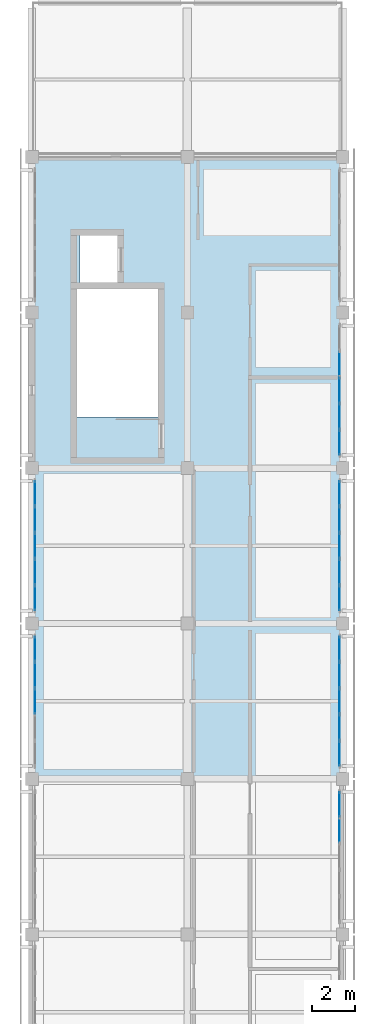
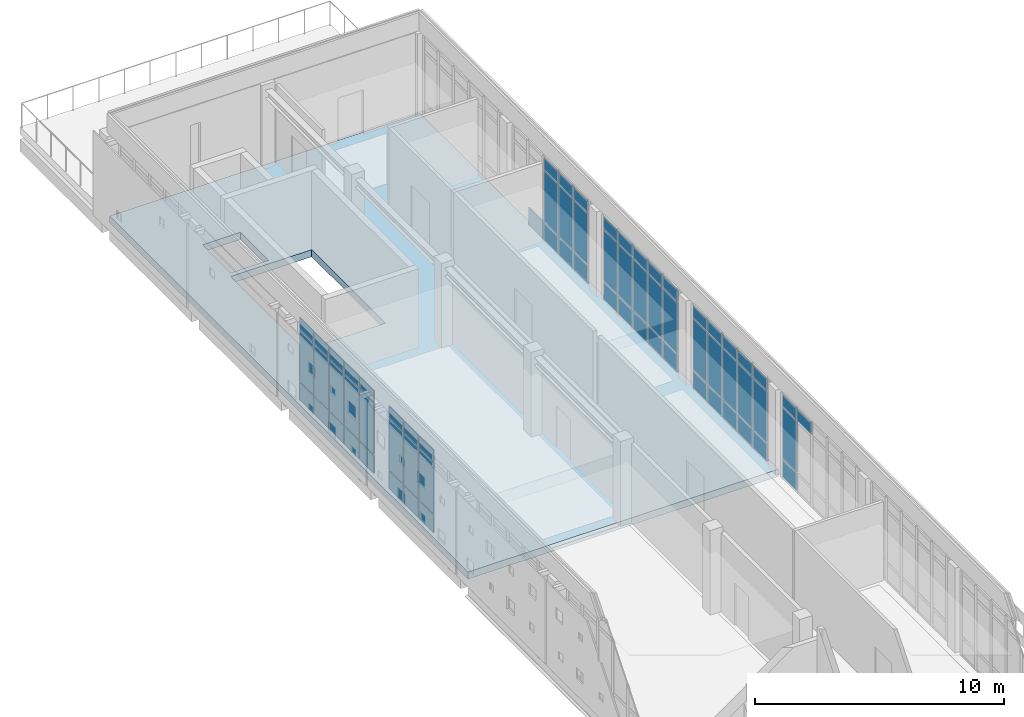
# One storey, part 12 of 19: 68 plates, 1 slab, 6 elements without a shape of their own.
"""IFC4 building model written with IfcOpenShell, lengths in metres."""

from ifc_helpers import new_model, si_unit, direction, frame, origin, origin_2d, place, context, subcontext, project, spatial, polyline, rectangle, outline, extrude, material, layer, layer_set, type_object, element, aggregate, save


model = new_model("IFC4")

# Units and contexts
model_context = context("Model", 3, precision=1e-05, world=origin(), true_north=direction((0.0, 1.0)))
body_context = subcontext(model_context, "Body", "Model", "MODEL_VIEW")
ifc_project = project(units=[si_unit("LENGTHUNIT", "METRE"), si_unit("AREAUNIT", "SQUARE_METRE"), si_unit("VOLUMEUNIT", "CUBIC_METRE"), si_unit("PLANEANGLEUNIT", "RADIAN"), si_unit("MASSUNIT", "GRAM", prefix="KILO")], contexts=[model_context])

# Site, building, storey
site_placement = place(None, origin())
site = spatial("IfcSite", under=ifc_project, at=site_placement, CompositionType="ELEMENT")
building_placement = place(site_placement, origin())
building = spatial("IfcBuilding", under=site, at=building_placement, Name="Valkovuoma Quantum and Materials Research Institute", CompositionType="ELEMENT")
storey_placement = place(building_placement, frame((0.0, 0.0, 38.080078125)))
storey = spatial("IfcBuildingStorey", under=building, at=storey_placement, Name="L09", CompositionType="ELEMENT", Elevation=38.080078125)

# Curtain wall, plates
ifc_material_1 = material(Name="Thermally broken aluminium and triple low-E glazing", Category="aluminium")
ifc_layer_1 = layer(ifc_material_1, 0.219970703125)
ifc_layer_set_1 = layer_set([ifc_layer_1], Name="Thermally broken aluminium and triple low-E glazing")
curtain_wall_type = type_object("IfcCurtainWallType", Name="CW-CW-01", PredefinedType="NOTDEFINED", material=ifc_layer_set_1)
curtain_wall_1_placement = place(storey_placement, origin())
curtain_wall_1 = element("IfcCurtainWall", 1, at=curtain_wall_1_placement, inside=storey, type_object=curtain_wall_type, Name="L09 curtain wall 136", PredefinedType="NOTDEFINED")
ifc_material_2 = material(Name="Triple low-E argon insulating glass", Category="glass")
ifc_layer_2 = layer(ifc_material_2, 0.035888671875)
ifc_layer_set_2 = layer_set([ifc_layer_2], Name="Triple low-E argon insulating glass")
plate_type_1 = type_object("IfcPlateType", Name="CWPanel-CWP-01", PredefinedType="CURTAIN_PANEL", material=ifc_layer_set_2)
plate_1_placement = place(storey_placement, frame((0.14990234375, 61.199951171875, 0.06494140625), z_axis=(0.0, 0.0, 1.0), x_axis=(0.0, 1.0, 0.0)))
plate_1 = element("IfcPlate", 2, at=plate_1_placement, type_object=plate_type_1, Name="CW-01 panel 3.1", PredefinedType="CURTAIN_PANEL", context=body_context, shape_type="SweptSolid", body=[
    extrude(rectangle(XDim=1.152099609375, YDim=0.035888671875, at=origin_2d()), origin(), (0.0, 0.0, 1.0), 0.8525390625),
])
plate_2_placement = place(storey_placement, frame((0.14990234375, 61.199951171875, 0.982421875), z_axis=(0.0, 0.0, 1.0), x_axis=(0.0, 1.0, 0.0)))
plate_2 = element("IfcPlate", 3, at=plate_2_placement, type_object=plate_type_1, Name="CW-01 panel 3.2", PredefinedType="CURTAIN_PANEL", context=body_context, shape_type="SweptSolid", body=[
    extrude(rectangle(XDim=1.152099609375, YDim=0.035888671875, at=origin_2d()), origin(), (0.0, 0.0, 1.0), 2.4951171875),
])
plate_3_placement = place(storey_placement, frame((0.14990234375, 61.199951171875, 3.54248046875), z_axis=(0.0, 0.0, 1.0), x_axis=(0.0, 1.0, 0.0)))
plate_3 = element("IfcPlate", 4, at=plate_3_placement, type_object=plate_type_1, Name="CW-01 panel 3.3", PredefinedType="CURTAIN_PANEL", context=body_context, shape_type="SweptSolid", body=[
    extrude(rectangle(XDim=1.152099609375, YDim=0.035888671875, at=origin_2d()), origin(), (0.0, 0.0, 1.0), 0.552490234375),
])
plate_4_placement = place(storey_placement, frame((0.14990234375, 62.417236328125, 0.06494140625), z_axis=(0.0, 0.0, 1.0), x_axis=(0.0, 1.0, 0.0)))
plate_4 = element("IfcPlate", 5, at=plate_4_placement, type_object=plate_type_1, Name="CW-01 panel 4.1", PredefinedType="CURTAIN_PANEL", context=body_context, shape_type="SweptSolid", body=[
    extrude(rectangle(XDim=1.152099609375, YDim=0.035888671875, at=origin_2d()), origin(), (0.0, 0.0, 1.0), 0.8525390625),
])
plate_5_placement = place(storey_placement, frame((0.14990234375, 62.417236328125, 0.982421875), z_axis=(0.0, 0.0, 1.0), x_axis=(0.0, 1.0, 0.0)))
plate_5 = element("IfcPlate", 6, at=plate_5_placement, type_object=plate_type_1, Name="CW-01 panel 4.2", PredefinedType="CURTAIN_PANEL", context=body_context, shape_type="SweptSolid", body=[
    extrude(rectangle(XDim=1.152099609375, YDim=0.035888671875, at=origin_2d()), origin(), (0.0, 0.0, 1.0), 2.4951171875),
])
plate_6_placement = place(storey_placement, frame((0.14990234375, 62.417236328125, 3.54248046875), z_axis=(0.0, 0.0, 1.0), x_axis=(0.0, 1.0, 0.0)))
plate_6 = element("IfcPlate", 7, at=plate_6_placement, type_object=plate_type_1, Name="CW-01 panel 4.3", PredefinedType="CURTAIN_PANEL", context=body_context, shape_type="SweptSolid", body=[
    extrude(rectangle(XDim=1.152099609375, YDim=0.035888671875, at=origin_2d()), origin(), (0.0, 0.0, 1.0), 0.552490234375),
])
plate_7_placement = place(storey_placement, frame((0.14990234375, 63.6181640625, 0.06494140625), z_axis=(0.0, 0.0, 1.0), x_axis=(0.0, 1.0, 0.0)))
plate_7 = element("IfcPlate", 8, at=plate_7_placement, type_object=plate_type_1, Name="CW-01 panel 5.1", PredefinedType="CURTAIN_PANEL", context=body_context, shape_type="SweptSolid", body=[
    extrude(rectangle(XDim=1.11962890625, YDim=0.035888671875, at=origin_2d()), origin(), (0.0, 0.0, 1.0), 0.8525390625),
])
plate_8_placement = place(storey_placement, frame((0.14990234375, 63.6181640625, 0.982421875), z_axis=(0.0, 0.0, 1.0), x_axis=(0.0, 1.0, 0.0)))
plate_8 = element("IfcPlate", 9, at=plate_8_placement, type_object=plate_type_1, Name="CW-01 panel 5.2", PredefinedType="CURTAIN_PANEL", context=body_context, shape_type="SweptSolid", body=[
    extrude(rectangle(XDim=1.11962890625, YDim=0.035888671875, at=origin_2d()), origin(), (0.0, 0.0, 1.0), 2.4951171875),
])
plate_9_placement = place(storey_placement, frame((0.14990234375, 63.6181640625, 3.54248046875), z_axis=(0.0, 0.0, 1.0), x_axis=(0.0, 1.0, 0.0)))
plate_9 = element("IfcPlate", 10, at=plate_9_placement, type_object=plate_type_1, Name="CW-01 panel 5.3", PredefinedType="CURTAIN_PANEL", context=body_context, shape_type="SweptSolid", body=[
    extrude(rectangle(XDim=1.11962890625, YDim=0.035888671875, at=origin_2d()), origin(), (0.0, 0.0, 1.0), 0.552490234375),
])
aggregate(curtain_wall_1, [plate_1, plate_2, plate_3, plate_4, plate_5, plate_6, plate_7, plate_8, plate_9])

curtain_wall_2_placement = place(storey_placement, origin())
curtain_wall_2 = element("IfcCurtainWall", 11, at=curtain_wall_2_placement, inside=storey, type_object=curtain_wall_type, Name="L09 curtain wall 138", PredefinedType="NOTDEFINED")
plate_10_placement = place(storey_placement, frame((0.14990234375, 65.98193359375, 0.06494140625), z_axis=(0.0, 0.0, 1.0), x_axis=(0.0, 1.0, 0.0)))
plate_10 = element("IfcPlate", 12, at=plate_10_placement, type_object=plate_type_1, Name="CW-01 panel 1.1", PredefinedType="CURTAIN_PANEL", context=body_context, shape_type="SweptSolid", body=[
    extrude(rectangle(XDim=1.11962890625, YDim=0.035888671875, at=origin_2d()), origin(), (0.0, 0.0, 1.0), 0.8525390625),
])
plate_11_placement = place(storey_placement, frame((0.14990234375, 65.98193359375, 0.982421875), z_axis=(0.0, 0.0, 1.0), x_axis=(0.0, 1.0, 0.0)))
plate_11 = element("IfcPlate", 13, at=plate_11_placement, type_object=plate_type_1, Name="CW-01 panel 1.2", PredefinedType="CURTAIN_PANEL", context=body_context, shape_type="SweptSolid", body=[
    extrude(rectangle(XDim=1.11962890625, YDim=0.035888671875, at=origin_2d()), origin(), (0.0, 0.0, 1.0), 2.4951171875),
])
plate_12_placement = place(storey_placement, frame((0.14990234375, 65.98193359375, 3.54248046875), z_axis=(0.0, 0.0, 1.0), x_axis=(0.0, 1.0, 0.0)))
plate_12 = element("IfcPlate", 14, at=plate_12_placement, type_object=plate_type_1, Name="CW-01 panel 1.3", PredefinedType="CURTAIN_PANEL", context=body_context, shape_type="SweptSolid", body=[
    extrude(rectangle(XDim=1.11962890625, YDim=0.035888671875, at=origin_2d()), origin(), (0.0, 0.0, 1.0), 0.552490234375),
])
plate_13_placement = place(storey_placement, frame((0.14990234375, 67.182861328125, 0.06494140625), z_axis=(0.0, 0.0, 1.0), x_axis=(0.0, 1.0, 0.0)))
plate_13 = element("IfcPlate", 15, at=plate_13_placement, type_object=plate_type_1, Name="CW-01 panel 2.1", PredefinedType="CURTAIN_PANEL", context=body_context, shape_type="SweptSolid", body=[
    extrude(rectangle(XDim=1.152099609375, YDim=0.035888671875, at=origin_2d()), origin(), (0.0, 0.0, 1.0), 0.8525390625),
])
plate_14_placement = place(storey_placement, frame((0.14990234375, 67.182861328125, 0.982421875), z_axis=(0.0, 0.0, 1.0), x_axis=(0.0, 1.0, 0.0)))
plate_14 = element("IfcPlate", 16, at=plate_14_placement, type_object=plate_type_1, Name="CW-01 panel 2.2", PredefinedType="CURTAIN_PANEL", context=body_context, shape_type="SweptSolid", body=[
    extrude(rectangle(XDim=1.152099609375, YDim=0.035888671875, at=origin_2d()), origin(), (0.0, 0.0, 1.0), 2.4951171875),
])
plate_15_placement = place(storey_placement, frame((0.14990234375, 67.182861328125, 3.54248046875), z_axis=(0.0, 0.0, 1.0), x_axis=(0.0, 1.0, 0.0)))
plate_15 = element("IfcPlate", 17, at=plate_15_placement, type_object=plate_type_1, Name="CW-01 panel 2.3", PredefinedType="CURTAIN_PANEL", context=body_context, shape_type="SweptSolid", body=[
    extrude(rectangle(XDim=1.152099609375, YDim=0.035888671875, at=origin_2d()), origin(), (0.0, 0.0, 1.0), 0.552490234375),
])
plate_16_placement = place(storey_placement, frame((0.14990234375, 68.39990234375, 0.06494140625), z_axis=(0.0, 0.0, 1.0), x_axis=(0.0, 1.0, 0.0)))
plate_16 = element("IfcPlate", 18, at=plate_16_placement, type_object=plate_type_1, Name="CW-01 panel 3.1", PredefinedType="CURTAIN_PANEL", context=body_context, shape_type="SweptSolid", body=[
    extrude(rectangle(XDim=1.152099609375, YDim=0.035888671875, at=origin_2d()), origin(), (0.0, 0.0, 1.0), 0.8525390625),
])
plate_17_placement = place(storey_placement, frame((0.14990234375, 68.39990234375, 0.982421875), z_axis=(0.0, 0.0, 1.0), x_axis=(0.0, 1.0, 0.0)))
plate_17 = element("IfcPlate", 19, at=plate_17_placement, type_object=plate_type_1, Name="CW-01 panel 3.2", PredefinedType="CURTAIN_PANEL", context=body_context, shape_type="SweptSolid", body=[
    extrude(rectangle(XDim=1.152099609375, YDim=0.035888671875, at=origin_2d()), origin(), (0.0, 0.0, 1.0), 2.4951171875),
])
plate_18_placement = place(storey_placement, frame((0.14990234375, 68.39990234375, 3.54248046875), z_axis=(0.0, 0.0, 1.0), x_axis=(0.0, 1.0, 0.0)))
plate_18 = element("IfcPlate", 20, at=plate_18_placement, type_object=plate_type_1, Name="CW-01 panel 3.3", PredefinedType="CURTAIN_PANEL", context=body_context, shape_type="SweptSolid", body=[
    extrude(rectangle(XDim=1.152099609375, YDim=0.035888671875, at=origin_2d()), origin(), (0.0, 0.0, 1.0), 0.552490234375),
])
plate_19_placement = place(storey_placement, frame((0.14990234375, 69.6171875, 0.06494140625), z_axis=(0.0, 0.0, 1.0), x_axis=(0.0, 1.0, 0.0)))
plate_19 = element("IfcPlate", 21, at=plate_19_placement, type_object=plate_type_1, Name="CW-01 panel 4.1", PredefinedType="CURTAIN_PANEL", context=body_context, shape_type="SweptSolid", body=[
    extrude(rectangle(XDim=1.152099609375, YDim=0.035888671875, at=origin_2d()), origin(), (0.0, 0.0, 1.0), 0.8525390625),
])
plate_20_placement = place(storey_placement, frame((0.14990234375, 69.6171875, 0.982421875), z_axis=(0.0, 0.0, 1.0), x_axis=(0.0, 1.0, 0.0)))
plate_20 = element("IfcPlate", 22, at=plate_20_placement, type_object=plate_type_1, Name="CW-01 panel 4.2", PredefinedType="CURTAIN_PANEL", context=body_context, shape_type="SweptSolid", body=[
    extrude(rectangle(XDim=1.152099609375, YDim=0.035888671875, at=origin_2d()), origin(), (0.0, 0.0, 1.0), 2.4951171875),
])
plate_21_placement = place(storey_placement, frame((0.14990234375, 69.6171875, 3.54248046875), z_axis=(0.0, 0.0, 1.0), x_axis=(0.0, 1.0, 0.0)))
plate_21 = element("IfcPlate", 23, at=plate_21_placement, type_object=plate_type_1, Name="CW-01 panel 4.3", PredefinedType="CURTAIN_PANEL", context=body_context, shape_type="SweptSolid", body=[
    extrude(rectangle(XDim=1.152099609375, YDim=0.035888671875, at=origin_2d()), origin(), (0.0, 0.0, 1.0), 0.552490234375),
])
plate_22_placement = place(storey_placement, frame((0.14990234375, 70.818115234375, 0.06494140625), z_axis=(0.0, 0.0, 1.0), x_axis=(0.0, 1.0, 0.0)))
plate_22 = element("IfcPlate", 24, at=plate_22_placement, type_object=plate_type_1, Name="CW-01 panel 5.1", PredefinedType="CURTAIN_PANEL", context=body_context, shape_type="SweptSolid", body=[
    extrude(rectangle(XDim=1.11962890625, YDim=0.035888671875, at=origin_2d()), origin(), (0.0, 0.0, 1.0), 0.8525390625),
])
plate_23_placement = place(storey_placement, frame((0.14990234375, 70.818115234375, 0.982421875), z_axis=(0.0, 0.0, 1.0), x_axis=(0.0, 1.0, 0.0)))
plate_23 = element("IfcPlate", 25, at=plate_23_placement, type_object=plate_type_1, Name="CW-01 panel 5.2", PredefinedType="CURTAIN_PANEL", context=body_context, shape_type="SweptSolid", body=[
    extrude(rectangle(XDim=1.11962890625, YDim=0.035888671875, at=origin_2d()), origin(), (0.0, 0.0, 1.0), 2.4951171875),
])
plate_24_placement = place(storey_placement, frame((0.14990234375, 70.818115234375, 3.54248046875), z_axis=(0.0, 0.0, 1.0), x_axis=(0.0, 1.0, 0.0)))
plate_24 = element("IfcPlate", 26, at=plate_24_placement, type_object=plate_type_1, Name="CW-01 panel 5.3", PredefinedType="CURTAIN_PANEL", context=body_context, shape_type="SweptSolid", body=[
    extrude(rectangle(XDim=1.11962890625, YDim=0.035888671875, at=origin_2d()), origin(), (0.0, 0.0, 1.0), 0.552490234375),
])
aggregate(curtain_wall_2, [plate_10, plate_11, plate_12, plate_13, plate_14, plate_15, plate_16, plate_17, plate_18, plate_19, plate_20, plate_21, plate_22, plate_23, plate_24])

curtain_wall_3_placement = place(storey_placement, origin())
curtain_wall_3 = element("IfcCurtainWall", 27, at=curtain_wall_3_placement, inside=storey, type_object=curtain_wall_type, Name="L09 curtain wall 135", PredefinedType="NOTDEFINED")
ifc_material_3 = material(Name="Triple low-E argon insulating glass", Category="glass")
ifc_layer_3 = layer(ifc_material_3, 0.0419921875)
ifc_layer_set_3 = layer_set([ifc_layer_3], Name="Triple low-E argon insulating glass")
plate_type_2 = type_object("IfcPlateType", Name="CWPanel-CWP-02", PredefinedType="CURTAIN_PANEL", material=ifc_layer_set_3)
plate_25_placement = place(storey_placement, frame((14.25, 55.217041015625, 3.54248046875), z_axis=(0.0, 0.0, 1.0), x_axis=(0.0, 1.0, 0.0)))
plate_25 = element("IfcPlate", 28, at=plate_25_placement, type_object=plate_type_2, Name="CW-01 panel 4.3", PredefinedType="CURTAIN_PANEL", context=body_context, shape_type="SweptSolid", body=[
    extrude(rectangle(XDim=1.152099609375, YDim=0.0419921875, at=origin_2d()), origin(), (0.0, 0.0, 1.0), 0.552490234375),
])
plate_26_placement = place(storey_placement, frame((14.25, 56.41796875, 0.06494140625), z_axis=(0.0, 0.0, 1.0), x_axis=(0.0, 1.0, 0.0)))
plate_26 = element("IfcPlate", 29, at=plate_26_placement, type_object=plate_type_2, Name="CW-01 panel 5.1", PredefinedType="CURTAIN_PANEL", context=body_context, shape_type="SweptSolid", body=[
    extrude(rectangle(XDim=1.11962890625, YDim=0.0419921875, at=origin_2d()), origin(), (0.0, 0.0, 1.0), 0.8525390625),
])
plate_27_placement = place(storey_placement, frame((14.25, 56.41796875, 0.982421875), z_axis=(0.0, 0.0, 1.0), x_axis=(0.0, 1.0, 0.0)))
plate_27 = element("IfcPlate", 30, at=plate_27_placement, type_object=plate_type_2, Name="CW-01 panel 5.2", PredefinedType="CURTAIN_PANEL", context=body_context, shape_type="SweptSolid", body=[
    extrude(rectangle(XDim=1.11962890625, YDim=0.0419921875, at=origin_2d()), origin(), (0.0, 0.0, 1.0), 2.4951171875),
])
plate_28_placement = place(storey_placement, frame((14.25, 56.41796875, 3.54248046875), z_axis=(0.0, 0.0, 1.0), x_axis=(0.0, 1.0, 0.0)))
plate_28 = element("IfcPlate", 31, at=plate_28_placement, type_object=plate_type_2, Name="CW-01 panel 5.3", PredefinedType="CURTAIN_PANEL", context=body_context, shape_type="SweptSolid", body=[
    extrude(rectangle(XDim=1.11962890625, YDim=0.0419921875, at=origin_2d()), origin(), (0.0, 0.0, 1.0), 0.552490234375),
])
aggregate(curtain_wall_3, [plate_25, plate_26, plate_27, plate_28])

curtain_wall_4_placement = place(storey_placement, origin())
curtain_wall_4 = element("IfcCurtainWall", 32, at=curtain_wall_4_placement, inside=storey, type_object=curtain_wall_type, Name="L09 curtain wall 137", PredefinedType="NOTDEFINED")
plate_29_placement = place(storey_placement, frame((14.25, 58.781982421875, 0.06494140625), z_axis=(0.0, 0.0, 1.0), x_axis=(0.0, 1.0, 0.0)))
plate_29 = element("IfcPlate", 33, at=plate_29_placement, type_object=plate_type_2, Name="CW-01 panel 1.1", PredefinedType="CURTAIN_PANEL", context=body_context, shape_type="SweptSolid", body=[
    extrude(rectangle(XDim=1.11962890625, YDim=0.0419921875, at=origin_2d()), origin(), (0.0, 0.0, 1.0), 0.8525390625),
])
plate_30_placement = place(storey_placement, frame((14.25, 58.781982421875, 0.982421875), z_axis=(0.0, 0.0, 1.0), x_axis=(0.0, 1.0, 0.0)))
plate_30 = element("IfcPlate", 34, at=plate_30_placement, type_object=plate_type_2, Name="CW-01 panel 1.2", PredefinedType="CURTAIN_PANEL", context=body_context, shape_type="SweptSolid", body=[
    extrude(rectangle(XDim=1.11962890625, YDim=0.0419921875, at=origin_2d()), origin(), (0.0, 0.0, 1.0), 2.4951171875),
])
plate_31_placement = place(storey_placement, frame((14.25, 58.781982421875, 3.54248046875), z_axis=(0.0, 0.0, 1.0), x_axis=(0.0, 1.0, 0.0)))
plate_31 = element("IfcPlate", 35, at=plate_31_placement, type_object=plate_type_2, Name="CW-01 panel 1.3", PredefinedType="CURTAIN_PANEL", context=body_context, shape_type="SweptSolid", body=[
    extrude(rectangle(XDim=1.11962890625, YDim=0.0419921875, at=origin_2d()), origin(), (0.0, 0.0, 1.0), 0.552490234375),
])
plate_32_placement = place(storey_placement, frame((14.25, 59.98291015625, 0.06494140625), z_axis=(0.0, 0.0, 1.0), x_axis=(0.0, 1.0, 0.0)))
plate_32 = element("IfcPlate", 36, at=plate_32_placement, type_object=plate_type_2, Name="CW-01 panel 2.1", PredefinedType="CURTAIN_PANEL", context=body_context, shape_type="SweptSolid", body=[
    extrude(rectangle(XDim=1.152099609375, YDim=0.0419921875, at=origin_2d()), origin(), (0.0, 0.0, 1.0), 0.8525390625),
])
plate_33_placement = place(storey_placement, frame((14.25, 59.98291015625, 0.982421875), z_axis=(0.0, 0.0, 1.0), x_axis=(0.0, 1.0, 0.0)))
plate_33 = element("IfcPlate", 37, at=plate_33_placement, type_object=plate_type_2, Name="CW-01 panel 2.2", PredefinedType="CURTAIN_PANEL", context=body_context, shape_type="SweptSolid", body=[
    extrude(rectangle(XDim=1.152099609375, YDim=0.0419921875, at=origin_2d()), origin(), (0.0, 0.0, 1.0), 2.4951171875),
])
plate_34_placement = place(storey_placement, frame((14.25, 59.98291015625, 3.54248046875), z_axis=(0.0, 0.0, 1.0), x_axis=(0.0, 1.0, 0.0)))
plate_34 = element("IfcPlate", 38, at=plate_34_placement, type_object=plate_type_2, Name="CW-01 panel 2.3", PredefinedType="CURTAIN_PANEL", context=body_context, shape_type="SweptSolid", body=[
    extrude(rectangle(XDim=1.152099609375, YDim=0.0419921875, at=origin_2d()), origin(), (0.0, 0.0, 1.0), 0.552490234375),
])
plate_35_placement = place(storey_placement, frame((14.25, 61.199951171875, 0.06494140625), z_axis=(0.0, 0.0, 1.0), x_axis=(0.0, 1.0, 0.0)))
plate_35 = element("IfcPlate", 39, at=plate_35_placement, type_object=plate_type_2, Name="CW-01 panel 3.1", PredefinedType="CURTAIN_PANEL", context=body_context, shape_type="SweptSolid", body=[
    extrude(rectangle(XDim=1.152099609375, YDim=0.0419921875, at=origin_2d()), origin(), (0.0, 0.0, 1.0), 0.8525390625),
])
plate_36_placement = place(storey_placement, frame((14.25, 61.199951171875, 0.982421875), z_axis=(0.0, 0.0, 1.0), x_axis=(0.0, 1.0, 0.0)))
plate_36 = element("IfcPlate", 40, at=plate_36_placement, type_object=plate_type_2, Name="CW-01 panel 3.2", PredefinedType="CURTAIN_PANEL", context=body_context, shape_type="SweptSolid", body=[
    extrude(rectangle(XDim=1.152099609375, YDim=0.0419921875, at=origin_2d()), origin(), (0.0, 0.0, 1.0), 2.4951171875),
])
plate_37_placement = place(storey_placement, frame((14.25, 61.199951171875, 3.54248046875), z_axis=(0.0, 0.0, 1.0), x_axis=(0.0, 1.0, 0.0)))
plate_37 = element("IfcPlate", 41, at=plate_37_placement, type_object=plate_type_2, Name="CW-01 panel 3.3", PredefinedType="CURTAIN_PANEL", context=body_context, shape_type="SweptSolid", body=[
    extrude(rectangle(XDim=1.152099609375, YDim=0.0419921875, at=origin_2d()), origin(), (0.0, 0.0, 1.0), 0.552490234375),
])
plate_38_placement = place(storey_placement, frame((14.25, 62.417236328125, 0.06494140625), z_axis=(0.0, 0.0, 1.0), x_axis=(0.0, 1.0, 0.0)))
plate_38 = element("IfcPlate", 42, at=plate_38_placement, type_object=plate_type_2, Name="CW-01 panel 4.1", PredefinedType="CURTAIN_PANEL", context=body_context, shape_type="SweptSolid", body=[
    extrude(rectangle(XDim=1.152099609375, YDim=0.0419921875, at=origin_2d()), origin(), (0.0, 0.0, 1.0), 0.8525390625),
])
plate_39_placement = place(storey_placement, frame((14.25, 62.417236328125, 0.982421875), z_axis=(0.0, 0.0, 1.0), x_axis=(0.0, 1.0, 0.0)))
plate_39 = element("IfcPlate", 43, at=plate_39_placement, type_object=plate_type_2, Name="CW-01 panel 4.2", PredefinedType="CURTAIN_PANEL", context=body_context, shape_type="SweptSolid", body=[
    extrude(rectangle(XDim=1.152099609375, YDim=0.0419921875, at=origin_2d()), origin(), (0.0, 0.0, 1.0), 2.4951171875),
])
plate_40_placement = place(storey_placement, frame((14.25, 62.417236328125, 3.54248046875), z_axis=(0.0, 0.0, 1.0), x_axis=(0.0, 1.0, 0.0)))
plate_40 = element("IfcPlate", 44, at=plate_40_placement, type_object=plate_type_2, Name="CW-01 panel 4.3", PredefinedType="CURTAIN_PANEL", context=body_context, shape_type="SweptSolid", body=[
    extrude(rectangle(XDim=1.152099609375, YDim=0.0419921875, at=origin_2d()), origin(), (0.0, 0.0, 1.0), 0.552490234375),
])
plate_41_placement = place(storey_placement, frame((14.25, 63.6181640625, 0.06494140625), z_axis=(0.0, 0.0, 1.0), x_axis=(0.0, 1.0, 0.0)))
plate_41 = element("IfcPlate", 45, at=plate_41_placement, type_object=plate_type_2, Name="CW-01 panel 5.1", PredefinedType="CURTAIN_PANEL", context=body_context, shape_type="SweptSolid", body=[
    extrude(rectangle(XDim=1.11962890625, YDim=0.0419921875, at=origin_2d()), origin(), (0.0, 0.0, 1.0), 0.8525390625),
])
plate_42_placement = place(storey_placement, frame((14.25, 63.6181640625, 0.982421875), z_axis=(0.0, 0.0, 1.0), x_axis=(0.0, 1.0, 0.0)))
plate_42 = element("IfcPlate", 46, at=plate_42_placement, type_object=plate_type_2, Name="CW-01 panel 5.2", PredefinedType="CURTAIN_PANEL", context=body_context, shape_type="SweptSolid", body=[
    extrude(rectangle(XDim=1.11962890625, YDim=0.0419921875, at=origin_2d()), origin(), (0.0, 0.0, 1.0), 2.4951171875),
])
plate_43_placement = place(storey_placement, frame((14.25, 63.6181640625, 3.54248046875), z_axis=(0.0, 0.0, 1.0), x_axis=(0.0, 1.0, 0.0)))
plate_43 = element("IfcPlate", 47, at=plate_43_placement, type_object=plate_type_2, Name="CW-01 panel 5.3", PredefinedType="CURTAIN_PANEL", context=body_context, shape_type="SweptSolid", body=[
    extrude(rectangle(XDim=1.11962890625, YDim=0.0419921875, at=origin_2d()), origin(), (0.0, 0.0, 1.0), 0.552490234375),
])
aggregate(curtain_wall_4, [plate_29, plate_30, plate_31, plate_32, plate_33, plate_34, plate_35, plate_36, plate_37, plate_38, plate_39, plate_40, plate_41, plate_42, plate_43])

curtain_wall_5_placement = place(storey_placement, origin())
curtain_wall_5 = element("IfcCurtainWall", 48, at=curtain_wall_5_placement, inside=storey, type_object=curtain_wall_type, Name="L09 curtain wall 139", PredefinedType="NOTDEFINED")
plate_44_placement = place(storey_placement, frame((14.25, 65.98193359375, 0.06494140625), z_axis=(0.0, 0.0, 1.0), x_axis=(0.0, 1.0, 0.0)))
plate_44 = element("IfcPlate", 49, at=plate_44_placement, type_object=plate_type_2, Name="CW-01 panel 1.1", PredefinedType="CURTAIN_PANEL", context=body_context, shape_type="SweptSolid", body=[
    extrude(rectangle(XDim=1.11962890625, YDim=0.0419921875, at=origin_2d()), origin(), (0.0, 0.0, 1.0), 0.8525390625),
])
plate_45_placement = place(storey_placement, frame((14.25, 65.98193359375, 0.982421875), z_axis=(0.0, 0.0, 1.0), x_axis=(0.0, 1.0, 0.0)))
plate_45 = element("IfcPlate", 50, at=plate_45_placement, type_object=plate_type_2, Name="CW-01 panel 1.2", PredefinedType="CURTAIN_PANEL", context=body_context, shape_type="SweptSolid", body=[
    extrude(rectangle(XDim=1.11962890625, YDim=0.0419921875, at=origin_2d()), origin(), (0.0, 0.0, 1.0), 2.4951171875),
])
plate_46_placement = place(storey_placement, frame((14.25, 65.98193359375, 3.54248046875), z_axis=(0.0, 0.0, 1.0), x_axis=(0.0, 1.0, 0.0)))
plate_46 = element("IfcPlate", 51, at=plate_46_placement, type_object=plate_type_2, Name="CW-01 panel 1.3", PredefinedType="CURTAIN_PANEL", context=body_context, shape_type="SweptSolid", body=[
    extrude(rectangle(XDim=1.11962890625, YDim=0.0419921875, at=origin_2d()), origin(), (0.0, 0.0, 1.0), 0.552490234375),
])
plate_47_placement = place(storey_placement, frame((14.25, 67.182861328125, 0.06494140625), z_axis=(0.0, 0.0, 1.0), x_axis=(0.0, 1.0, 0.0)))
plate_47 = element("IfcPlate", 52, at=plate_47_placement, type_object=plate_type_2, Name="CW-01 panel 2.1", PredefinedType="CURTAIN_PANEL", context=body_context, shape_type="SweptSolid", body=[
    extrude(rectangle(XDim=1.152099609375, YDim=0.0419921875, at=origin_2d()), origin(), (0.0, 0.0, 1.0), 0.8525390625),
])
plate_48_placement = place(storey_placement, frame((14.25, 67.182861328125, 0.982421875), z_axis=(0.0, 0.0, 1.0), x_axis=(0.0, 1.0, 0.0)))
plate_48 = element("IfcPlate", 53, at=plate_48_placement, type_object=plate_type_2, Name="CW-01 panel 2.2", PredefinedType="CURTAIN_PANEL", context=body_context, shape_type="SweptSolid", body=[
    extrude(rectangle(XDim=1.152099609375, YDim=0.0419921875, at=origin_2d()), origin(), (0.0, 0.0, 1.0), 2.4951171875),
])
plate_49_placement = place(storey_placement, frame((14.25, 67.182861328125, 3.54248046875), z_axis=(0.0, 0.0, 1.0), x_axis=(0.0, 1.0, 0.0)))
plate_49 = element("IfcPlate", 54, at=plate_49_placement, type_object=plate_type_2, Name="CW-01 panel 2.3", PredefinedType="CURTAIN_PANEL", context=body_context, shape_type="SweptSolid", body=[
    extrude(rectangle(XDim=1.152099609375, YDim=0.0419921875, at=origin_2d()), origin(), (0.0, 0.0, 1.0), 0.552490234375),
])
plate_50_placement = place(storey_placement, frame((14.25, 68.39990234375, 0.06494140625), z_axis=(0.0, 0.0, 1.0), x_axis=(0.0, 1.0, 0.0)))
plate_50 = element("IfcPlate", 55, at=plate_50_placement, type_object=plate_type_2, Name="CW-01 panel 3.1", PredefinedType="CURTAIN_PANEL", context=body_context, shape_type="SweptSolid", body=[
    extrude(rectangle(XDim=1.152099609375, YDim=0.0419921875, at=origin_2d()), origin(), (0.0, 0.0, 1.0), 0.8525390625),
])
plate_51_placement = place(storey_placement, frame((14.25, 68.39990234375, 0.982421875), z_axis=(0.0, 0.0, 1.0), x_axis=(0.0, 1.0, 0.0)))
plate_51 = element("IfcPlate", 56, at=plate_51_placement, type_object=plate_type_2, Name="CW-01 panel 3.2", PredefinedType="CURTAIN_PANEL", context=body_context, shape_type="SweptSolid", body=[
    extrude(rectangle(XDim=1.152099609375, YDim=0.0419921875, at=origin_2d()), origin(), (0.0, 0.0, 1.0), 2.4951171875),
])
plate_52_placement = place(storey_placement, frame((14.25, 68.39990234375, 3.54248046875), z_axis=(0.0, 0.0, 1.0), x_axis=(0.0, 1.0, 0.0)))
plate_52 = element("IfcPlate", 57, at=plate_52_placement, type_object=plate_type_2, Name="CW-01 panel 3.3", PredefinedType="CURTAIN_PANEL", context=body_context, shape_type="SweptSolid", body=[
    extrude(rectangle(XDim=1.152099609375, YDim=0.0419921875, at=origin_2d()), origin(), (0.0, 0.0, 1.0), 0.552490234375),
])
plate_53_placement = place(storey_placement, frame((14.25, 69.6171875, 0.06494140625), z_axis=(0.0, 0.0, 1.0), x_axis=(0.0, 1.0, 0.0)))
plate_53 = element("IfcPlate", 58, at=plate_53_placement, type_object=plate_type_2, Name="CW-01 panel 4.1", PredefinedType="CURTAIN_PANEL", context=body_context, shape_type="SweptSolid", body=[
    extrude(rectangle(XDim=1.152099609375, YDim=0.0419921875, at=origin_2d()), origin(), (0.0, 0.0, 1.0), 0.8525390625),
])
plate_54_placement = place(storey_placement, frame((14.25, 69.6171875, 0.982421875), z_axis=(0.0, 0.0, 1.0), x_axis=(0.0, 1.0, 0.0)))
plate_54 = element("IfcPlate", 59, at=plate_54_placement, type_object=plate_type_2, Name="CW-01 panel 4.2", PredefinedType="CURTAIN_PANEL", context=body_context, shape_type="SweptSolid", body=[
    extrude(rectangle(XDim=1.152099609375, YDim=0.0419921875, at=origin_2d()), origin(), (0.0, 0.0, 1.0), 2.4951171875),
])
plate_55_placement = place(storey_placement, frame((14.25, 69.6171875, 3.54248046875), z_axis=(0.0, 0.0, 1.0), x_axis=(0.0, 1.0, 0.0)))
plate_55 = element("IfcPlate", 60, at=plate_55_placement, type_object=plate_type_2, Name="CW-01 panel 4.3", PredefinedType="CURTAIN_PANEL", context=body_context, shape_type="SweptSolid", body=[
    extrude(rectangle(XDim=1.152099609375, YDim=0.0419921875, at=origin_2d()), origin(), (0.0, 0.0, 1.0), 0.552490234375),
])
plate_56_placement = place(storey_placement, frame((14.25, 70.818115234375, 0.06494140625), z_axis=(0.0, 0.0, 1.0), x_axis=(0.0, 1.0, 0.0)))
plate_56 = element("IfcPlate", 61, at=plate_56_placement, type_object=plate_type_2, Name="CW-01 panel 5.1", PredefinedType="CURTAIN_PANEL", context=body_context, shape_type="SweptSolid", body=[
    extrude(rectangle(XDim=1.11962890625, YDim=0.0419921875, at=origin_2d()), origin(), (0.0, 0.0, 1.0), 0.8525390625),
])
plate_57_placement = place(storey_placement, frame((14.25, 70.818115234375, 0.982421875), z_axis=(0.0, 0.0, 1.0), x_axis=(0.0, 1.0, 0.0)))
plate_57 = element("IfcPlate", 62, at=plate_57_placement, type_object=plate_type_2, Name="CW-01 panel 5.2", PredefinedType="CURTAIN_PANEL", context=body_context, shape_type="SweptSolid", body=[
    extrude(rectangle(XDim=1.11962890625, YDim=0.0419921875, at=origin_2d()), origin(), (0.0, 0.0, 1.0), 2.4951171875),
])
plate_58_placement = place(storey_placement, frame((14.25, 70.818115234375, 3.54248046875), z_axis=(0.0, 0.0, 1.0), x_axis=(0.0, 1.0, 0.0)))
plate_58 = element("IfcPlate", 63, at=plate_58_placement, type_object=plate_type_2, Name="CW-01 panel 5.3", PredefinedType="CURTAIN_PANEL", context=body_context, shape_type="SweptSolid", body=[
    extrude(rectangle(XDim=1.11962890625, YDim=0.0419921875, at=origin_2d()), origin(), (0.0, 0.0, 1.0), 0.552490234375),
])
aggregate(curtain_wall_5, [plate_44, plate_45, plate_46, plate_47, plate_48, plate_49, plate_50, plate_51, plate_52, plate_53, plate_54, plate_55, plate_56, plate_57, plate_58])

curtain_wall_6_placement = place(storey_placement, origin())
curtain_wall_6 = element("IfcCurtainWall", 64, at=curtain_wall_6_placement, inside=storey, type_object=curtain_wall_type, Name="L09 curtain wall 140", PredefinedType="NOTDEFINED")
plate_59_placement = place(storey_placement, frame((14.25, 73.181884765625, 0.06494140625), z_axis=(0.0, 0.0, 1.0), x_axis=(0.0, 1.0, 0.0)))
plate_59 = element("IfcPlate", 65, at=plate_59_placement, type_object=plate_type_2, Name="CW-01 panel 1.1", PredefinedType="CURTAIN_PANEL", context=body_context, shape_type="SweptSolid", body=[
    extrude(rectangle(XDim=1.11962890625, YDim=0.0419921875, at=origin_2d()), origin(), (0.0, 0.0, 1.0), 0.8525390625),
])
plate_60_placement = place(storey_placement, frame((14.25, 73.181884765625, 0.982421875), z_axis=(0.0, 0.0, 1.0), x_axis=(0.0, 1.0, 0.0)))
plate_60 = element("IfcPlate", 66, at=plate_60_placement, type_object=plate_type_2, Name="CW-01 panel 1.2", PredefinedType="CURTAIN_PANEL", context=body_context, shape_type="SweptSolid", body=[
    extrude(rectangle(XDim=1.11962890625, YDim=0.0419921875, at=origin_2d()), origin(), (0.0, 0.0, 1.0), 2.4951171875),
])
plate_61_placement = place(storey_placement, frame((14.25, 73.181884765625, 3.54248046875), z_axis=(0.0, 0.0, 1.0), x_axis=(0.0, 1.0, 0.0)))
plate_61 = element("IfcPlate", 67, at=plate_61_placement, type_object=plate_type_2, Name="CW-01 panel 1.3", PredefinedType="CURTAIN_PANEL", context=body_context, shape_type="SweptSolid", body=[
    extrude(rectangle(XDim=1.11962890625, YDim=0.0419921875, at=origin_2d()), origin(), (0.0, 0.0, 1.0), 0.552490234375),
])
plate_62_placement = place(storey_placement, frame((14.25, 74.3828125, 0.06494140625), z_axis=(0.0, 0.0, 1.0), x_axis=(0.0, 1.0, 0.0)))
plate_62 = element("IfcPlate", 68, at=plate_62_placement, type_object=plate_type_2, Name="CW-01 panel 2.1", PredefinedType="CURTAIN_PANEL", context=body_context, shape_type="SweptSolid", body=[
    extrude(rectangle(XDim=1.152099609375, YDim=0.0419921875, at=origin_2d()), origin(), (0.0, 0.0, 1.0), 0.8525390625),
])
plate_63_placement = place(storey_placement, frame((14.25, 74.3828125, 0.982421875), z_axis=(0.0, 0.0, 1.0), x_axis=(0.0, 1.0, 0.0)))
plate_63 = element("IfcPlate", 69, at=plate_63_placement, type_object=plate_type_2, Name="CW-01 panel 2.2", PredefinedType="CURTAIN_PANEL", context=body_context, shape_type="SweptSolid", body=[
    extrude(rectangle(XDim=1.152099609375, YDim=0.0419921875, at=origin_2d()), origin(), (0.0, 0.0, 1.0), 2.4951171875),
])
plate_64_placement = place(storey_placement, frame((14.25, 74.3828125, 3.54248046875), z_axis=(0.0, 0.0, 1.0), x_axis=(0.0, 1.0, 0.0)))
plate_64 = element("IfcPlate", 70, at=plate_64_placement, type_object=plate_type_2, Name="CW-01 panel 2.3", PredefinedType="CURTAIN_PANEL", context=body_context, shape_type="SweptSolid", body=[
    extrude(rectangle(XDim=1.152099609375, YDim=0.0419921875, at=origin_2d()), origin(), (0.0, 0.0, 1.0), 0.552490234375),
])
plate_65_placement = place(storey_placement, frame((14.25, 75.60009765625, 0.06494140625), z_axis=(0.0, 0.0, 1.0), x_axis=(0.0, 1.0, 0.0)))
plate_65 = element("IfcPlate", 71, at=plate_65_placement, type_object=plate_type_2, Name="CW-01 panel 3.1", PredefinedType="CURTAIN_PANEL", context=body_context, shape_type="SweptSolid", body=[
    extrude(rectangle(XDim=1.152099609375, YDim=0.0419921875, at=origin_2d()), origin(), (0.0, 0.0, 1.0), 0.8525390625),
])
plate_66_placement = place(storey_placement, frame((14.25, 75.60009765625, 0.982421875), z_axis=(0.0, 0.0, 1.0), x_axis=(0.0, 1.0, 0.0)))
plate_66 = element("IfcPlate", 72, at=plate_66_placement, type_object=plate_type_2, Name="CW-01 panel 3.2", PredefinedType="CURTAIN_PANEL", context=body_context, shape_type="SweptSolid", body=[
    extrude(rectangle(XDim=1.152099609375, YDim=0.0419921875, at=origin_2d()), origin(), (0.0, 0.0, 1.0), 2.4951171875),
])
plate_67_placement = place(storey_placement, frame((14.25, 75.60009765625, 3.54248046875), z_axis=(0.0, 0.0, 1.0), x_axis=(0.0, 1.0, 0.0)))
plate_67 = element("IfcPlate", 73, at=plate_67_placement, type_object=plate_type_2, Name="CW-01 panel 3.3", PredefinedType="CURTAIN_PANEL", context=body_context, shape_type="SweptSolid", body=[
    extrude(rectangle(XDim=1.152099609375, YDim=0.0419921875, at=origin_2d()), origin(), (0.0, 0.0, 1.0), 0.552490234375),
])
plate_68_placement = place(storey_placement, frame((14.25, 76.817138671875, 0.06494140625), z_axis=(0.0, 0.0, 1.0), x_axis=(0.0, 1.0, 0.0)))
plate_68 = element("IfcPlate", 74, at=plate_68_placement, type_object=plate_type_2, Name="CW-01 panel 4.1", PredefinedType="CURTAIN_PANEL", context=body_context, shape_type="SweptSolid", body=[
    extrude(rectangle(XDim=1.152099609375, YDim=0.0419921875, at=origin_2d()), origin(), (0.0, 0.0, 1.0), 0.8525390625),
])
aggregate(curtain_wall_6, [plate_59, plate_60, plate_61, plate_62, plate_63, plate_64, plate_65, plate_66, plate_67, plate_68])

# Slab
ifc_material_4 = material(Name="Concrete C40/50", Category="concrete")
ifc_layer_4 = layer(ifc_material_4, 0.35009765625)
ifc_layer_set_4 = layer_set([ifc_layer_4], Name="Concrete C40/50")
slab_type = type_object("IfcSlabType", Name="Slab-SL-FL350", PredefinedType="FLOOR", material=ifc_layer_set_4)
slab_placement = place(storey_placement, frame((0.0, 0.0, -0.35009765625)))
element("IfcSlab", 75, at=slab_placement, inside=storey, type_object=slab_type, Name="L09 vol5_drylab structural slab 2", PredefinedType="FLOOR", context=body_context, shape_type="SweptSolid", body=[
    extrude(outline(polyline([(0.0, 57.60009765625), (14.39990234375, 57.60009765625), (14.39990234375, 86.39990234375), (0.0, 86.39990234375), (0.0, 57.60009765625)]), holes=[polyline([(2.10009765625, 74.360107421875), (5.85009765625, 74.360107421875), (5.85009765625, 80.300048828125), (2.10009765625, 80.300048828125), (2.10009765625, 74.360107421875)]), polyline([(2.219970703125, 80.52001953125), (3.97998046875, 80.52001953125), (3.97998046875, 82.780029296875), (2.219970703125, 82.780029296875), (2.219970703125, 80.52001953125)])]), origin(), (0.0, 0.0, 1.0), 0.35009765625),
])

save(model, "model.ifc")
